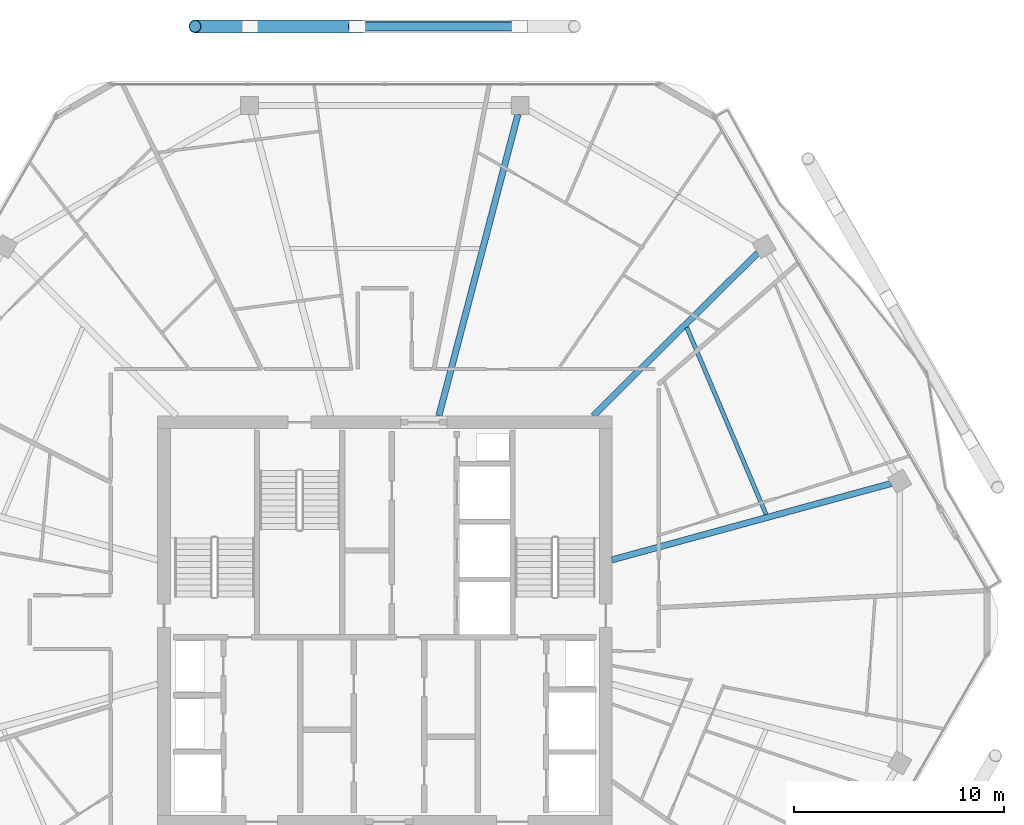
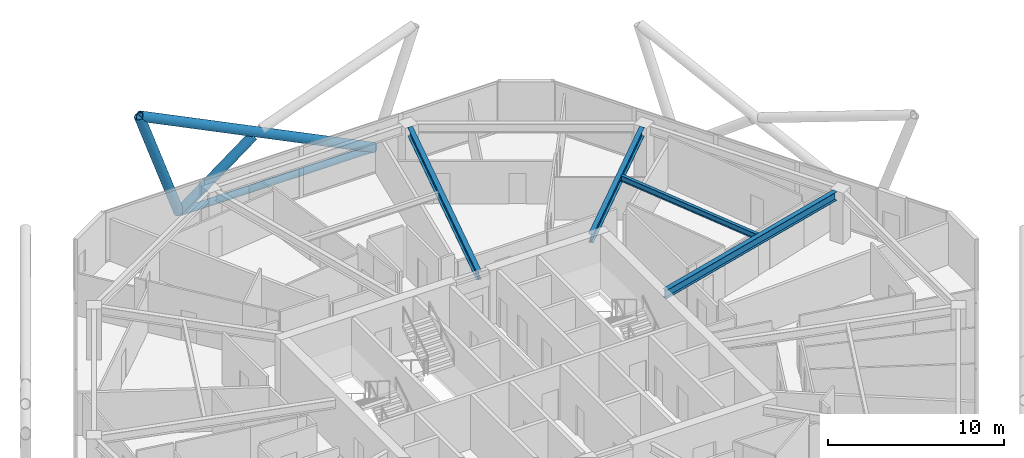
# One storey, part 16 of 28: 4 beams, 4 members.
"""IFC4 building model written with IfcOpenShell, lengths in metres."""

import ifcopenshell
import ifcopenshell.guid

model = None  # the IFC model being written
_history = None  # IfcOwnerHistory: only IFC2X3 demands one
_inside = {}  # id of a spatial element -> (the spatial element, [elements in it])
_under = {}  # id of a project, library or spatial element -> (it, [spatial elements below it])
_declared = {}  # id of a project -> (the project, [libraries it declares])
_typed = {}  # id of a type object -> (the type object, [elements of that type])
_made_of = {}  # id of a material, layer set ... -> (it, [elements and type objects made of it])


def new_model(schema):
    """Start an empty IFC model of exactly this schema.

    Asked for "IFC4X3", IfcOpenShell would pick the latest addendum, in which some entities
    have other attributes; the version numbers below select the first issue.
    IFC2X3 requires an IfcOwnerHistory on every rooted entity: one is made here for all.
    """
    global model, _history
    if schema == "IFC4X3":
        model = ifcopenshell.file(schema_version=(4, 3, 0, 0))
    else:
        model = ifcopenshell.file(schema=schema)
    _inside.clear()
    _under.clear()
    _declared.clear()
    _typed.clear()
    _made_of.clear()
    _history = None
    if model.schema == "IFC2X3":
        org = make("IfcOrganization", Name="unknown")
        user = make(
            "IfcPersonAndOrganization",
            ThePerson=make("IfcPerson", FamilyName="unknown"),
            TheOrganization=org,
        )
        app = make(
            "IfcApplication",
            ApplicationDeveloper=org,
            Version="unknown",
            ApplicationFullName="unknown",
            ApplicationIdentifier="unknown",
        )
        _history = make(
            "IfcOwnerHistory",
            OwningUser=user,
            OwningApplication=app,
            ChangeAction="ADDED",
            CreationDate=0,
        )
    return model


def make(cls, **values):
    """One entity of the class cls with the attributes given. An attribute that is None is left unset."""
    return model.create_entity(
        cls, **{name: value for name, value in values.items() if value is not None}
    )


def rooted(cls, **values):
    """An entity with a GlobalId (a new one), such as an element, a storey or a relation."""
    return make(cls, GlobalId=ifcopenshell.guid.new(), OwnerHistory=_history, **values)


def si_unit(unit_type, name, prefix=None):
    """IfcSIUnit, for example si_unit("LENGTHUNIT", "METRE", prefix="MILLI")."""
    return make("IfcSIUnit", UnitType=unit_type, Prefix=prefix, Name=name)


def assignment(units):
    """IfcUnitAssignment: the units of a project."""
    return None if units is None else make("IfcUnitAssignment", Units=units)


def point(xyz):
    """IfcCartesianPoint."""
    return None if xyz is None else make("IfcCartesianPoint", Coordinates=xyz)


def direction(xyz):
    """IfcDirection."""
    return None if xyz is None else make("IfcDirection", DirectionRatios=xyz)


def frame(location, z_axis=None, x_axis=None):
    """IfcAxis2Placement3D, a coordinate frame: its origin and axes. An axis left out is left unset."""
    return make(
        "IfcAxis2Placement3D",
        Location=point(location),
        Axis=direction(z_axis),
        RefDirection=direction(x_axis),
    )


def frame_2d(location, x_axis=None):
    """IfcAxis2Placement2D, a coordinate frame in the plane: its origin and x axis."""
    return make(
        "IfcAxis2Placement2D", Location=point(location), RefDirection=direction(x_axis)
    )


def origin():
    """The frame at (0, 0, 0) with its axes left unset."""
    return frame((0.0, 0.0, 0.0))


def origin_2d():
    """The frame at (0, 0) in the plane with its x axis left unset."""
    return frame_2d((0.0, 0.0))


def place(relative_to, where):
    """IfcLocalPlacement: puts the frame where relative to a parent placement (None: the world)."""
    return make(
        "IfcLocalPlacement", PlacementRelTo=relative_to, RelativePlacement=where
    )


def context(
    kind, dimensions, precision=None, world=None, true_north=None, identifier=None
):
    """IfcGeometricRepresentationContext, for example the 3D "Model" context."""
    return make(
        "IfcGeometricRepresentationContext",
        ContextIdentifier=identifier,
        ContextType=kind,
        CoordinateSpaceDimension=dimensions,
        Precision=precision,
        WorldCoordinateSystem=world,
        TrueNorth=true_north,
    )


def subcontext(parent, identifier, kind, view, scale=None):
    """IfcGeometricRepresentationSubContext, for example "Body" below "Model"."""
    return make(
        "IfcGeometricRepresentationSubContext",
        ContextIdentifier=identifier,
        ContextType=kind,
        ParentContext=parent,
        TargetScale=scale,
        TargetView=view,
    )


def project(units=None, contexts=None):
    """IfcProject with its units and contexts."""
    return rooted(
        "IfcProject",
        Name="project",
        RepresentationContexts=contexts,
        UnitsInContext=assignment(units),
    )


def spatial(cls, under=None, at=None, **own):
    """A site, building, storey or space (cls), placed at a placement, below another one or the project."""
    s = rooted(cls, ObjectPlacement=at, **own)
    if under is not None:
        _under.setdefault(under.id(), (under, []))[1].append(s)
    return s


def profile(cls, at=None, kind="AREA", **sizes):
    """A parametric profile (cls). Its sizes go by their IFC names, for example OverallWidth=200.0."""
    return make(cls, ProfileType=kind, Position=at, **sizes)


def hollow_circle(**sizes):
    """IfcCircleHollowProfileDef."""
    return profile("IfcCircleHollowProfileDef", **sizes)


def i_section(**sizes):
    """IfcIShapeProfileDef."""
    return profile("IfcIShapeProfileDef", **sizes)


def extrude(swept, where, along, depth):
    """IfcExtrudedAreaSolid: the profile swept, set in the frame where, extruded along a direction by depth."""
    return make(
        "IfcExtrudedAreaSolid",
        SweptArea=swept,
        Position=where,
        ExtrudedDirection=direction(along),
        Depth=depth,
    )


def shape(context_of_items, identifier, shape_type, items):
    """IfcShapeRepresentation: the items that make up one representation, for example the "Body"."""
    return make(
        "IfcShapeRepresentation",
        ContextOfItems=context_of_items,
        RepresentationIdentifier=identifier,
        RepresentationType=shape_type,
        Items=items,
    )


def material(Name=None, Category=None):
    """IfcMaterial."""
    return make("IfcMaterial", Name=Name, Category=Category)


def material_profile(
    of_material, cross_section, Name=None, Category=None, Priority=None
):
    """IfcMaterialProfile: a cross section and its material."""
    return make(
        "IfcMaterialProfile",
        Name=Name,
        Material=of_material,
        Profile=cross_section,
        Priority=Priority,
        Category=Category,
    )


def profile_set(profiles, Name=None, composite=None):
    """IfcMaterialProfileSet."""
    return make(
        "IfcMaterialProfileSet",
        Name=Name,
        MaterialProfiles=profiles,
        CompositeProfile=composite,
    )


def made_of(thing, what):
    """Note that an element or type object is made of a material, layer set ...; save() writes the relation."""
    if what is not None:
        _made_of.setdefault(what.id(), (what, []))[1].append(thing)
    return thing


def type_object(cls, material=None, **own):
    """A type object (cls), such as IfcWallType, which elements share."""
    return made_of(rooted(cls, **own), material)


def element(
    cls,
    number,
    at=None,
    inside=None,
    cuts=None,
    type_object=None,
    material=None,
    context=None,
    identifier="Body",
    shape_type=None,
    held_by="IfcProductDefinitionShape",
    body=None,
    shapes=None,
    **own,
):
    """One element of the class cls, such as IfcWall. Its Tag is "e" and its number.

    at: its placement. inside: the storey or other place that contains it. cuts: it is an
    opening in that element (IfcRelVoidsElement). A single representation is given by context,
    identifier, shape_type and body (its items); several are given by shapes. held_by: the class
    of the entity that holds the representations. save() writes the other relations.
    """
    e = rooted(cls, Tag="e%d" % number, ObjectPlacement=at, **own)
    if body is not None:
        shapes = [shape(context, identifier, shape_type, body)]
    if shapes is not None:
        e.Representation = make(held_by, Representations=shapes)
    if inside is not None:
        _inside.setdefault(inside.id(), (inside, []))[1].append(e)
    if cuts is not None:
        rooted(
            "IfcRelVoidsElement", RelatingBuildingElement=cuts, RelatedOpeningElement=e
        )
    if type_object is not None:
        _typed.setdefault(type_object.id(), (type_object, []))[1].append(e)
    return made_of(e, material)


def aggregate(whole, parts):
    """IfcRelAggregates: a whole, such as a stair, and the parts it consists of."""
    return rooted("IfcRelAggregates", RelatingObject=whole, RelatedObjects=parts)


def save(model, path):
    """Write the relations noted so far, then the file.

    IfcRelAggregates (storeys below a building ...), IfcRelContainedInSpatialStructure (elements
    in a storey), IfcRelDefinesByType, IfcRelAssociatesMaterial and IfcRelDeclares: one each for
    every whole, place, type object, material and project.
    """
    for whole, parts in _under.values():
        aggregate(whole, parts)
    for where, things in _inside.values():
        rooted(
            "IfcRelContainedInSpatialStructure",
            RelatedElements=things,
            RelatingStructure=where,
        )
    for kind, things in _typed.values():
        rooted("IfcRelDefinesByType", RelatedObjects=things, RelatingType=kind)
    for what, things in _made_of.values():
        rooted("IfcRelAssociatesMaterial", RelatedObjects=things, RelatingMaterial=what)
    for by, libraries in _declared.values():
        rooted("IfcRelDeclares", RelatingContext=by, RelatedDefinitions=libraries)
    model.write(path)


model = new_model("IFC4")

# Units and contexts
model_context = context("Model", 3, precision=1e-05, world=origin(), true_north=direction((0.0, 1.0)))
body_context = subcontext(model_context, "Body", "Model", "MODEL_VIEW")
ifc_project = project(units=[si_unit("LENGTHUNIT", "METRE"), si_unit("AREAUNIT", "SQUARE_METRE"), si_unit("VOLUMEUNIT", "CUBIC_METRE"), si_unit("PLANEANGLEUNIT", "RADIAN"), si_unit("MASSUNIT", "GRAM", prefix="KILO")], contexts=[model_context])

# Site, building, storey
site_placement = place(None, origin())
site = spatial("IfcSite", under=ifc_project, at=site_placement, CompositionType="ELEMENT")
building_placement = place(site_placement, origin())
building = spatial("IfcBuilding", under=site, at=building_placement, Name="Zuhravey Tower", CompositionType="ELEMENT")
storey_placement = place(building_placement, frame((0.0, 0.0, 284.39990234375)))
storey = spatial("IfcBuildingStorey", under=building, at=storey_placement, Name="L72", CompositionType="ELEMENT", Elevation=284.39990234375)

# Members
ifc_material = material(Name="Steel SM355", Category="steel")
ifc_material_profile_1 = material_profile(ifc_material, hollow_circle(Radius=0.228515625, WallThickness=0.02197265625, at=origin_2d()), Name="CHS-457.2x22")
ifc_profile_set_1 = profile_set([ifc_material_profile_1], Name="Steel SM355")
member_type_1 = type_object("IfcMemberType", Name="Exoskeleton Ring Tie CHS457x22", PredefinedType="CHORD", material=ifc_profile_set_1)
member_1_placement = place(storey_placement, frame((42.267578125, 60.323486328125, -0.4638671875), z_axis=(-1.0, 0.0, 0.0), x_axis=(0.0, -1.0, 0.0)))
element("IfcMember", 1, at=member_1_placement, inside=storey, type_object=member_type_1, Name="L72 Exoskeleton Face 2 Tie EXR1", PredefinedType="CHORD", context=body_context, shape_type="SweptSolid", body=[
    extrude(hollow_circle(Radius=0.228515625, WallThickness=0.02197265625, at=origin_2d()), origin(), (0.0, 0.0, 1.0), 12.53515625),
])
ifc_material_profile_2 = material_profile(ifc_material, hollow_circle(Radius=0.3046875, WallThickness=0.028076171875, at=origin_2d()), Name="CHS-609.6x28")
ifc_profile_set_2 = profile_set([ifc_material_profile_2], Name="Steel SM355")
member_type_2 = type_object("IfcMemberType", Name="Exoskeleton Zone 3 Diagrid CHS610x28", PredefinedType="BRACE", material=ifc_profile_set_2)
member_2_placement = place(storey_placement, frame((42.37109375, 60.323486328125, -0.44580078125), z_axis=(-0.897161810558, 0.0, 0.441702032683), x_axis=(0.0, -1.0, 0.0)))
element("IfcMember", 2, at=member_2_placement, inside=storey, type_object=member_type_2, Name="L72 Face 2 Diagrid Brace 2", PredefinedType="BRACE", context=body_context, shape_type="SweptSolid", body=[
    extrude(hollow_circle(Radius=0.3046875, WallThickness=0.028076171875, at=origin_2d()), origin(), (0.0, 0.0, 1.0), 17.12451171875),
])
member_3_placement = place(storey_placement, frame((29.586181640625, 60.323486328125, -0.44580078125), z_axis=(-0.326060268586, 0.0, 0.945348983841), x_axis=(0.0, -1.0, 0.0)))
element("IfcMember", 3, at=member_3_placement, inside=storey, type_object=member_type_2, Name="L72 Face 2 Diagrid Brace 4", PredefinedType="BRACE", context=body_context, shape_type="SweptSolid", body=[
    extrude(hollow_circle(Radius=0.3046875, WallThickness=0.028076171875, at=origin_2d()), origin(), (0.0, 0.0, 1.0), 8.001220703125),
])
member_4_placement = place(storey_placement, frame((29.625, 60.323486328125, -0.439453125), z_axis=(0.801733500904, 0.0, 0.597681682444), x_axis=(0.0, 1.0, 0.0)))
element("IfcMember", 4, at=member_4_placement, inside=storey, type_object=member_type_2, Name="L72 Face 2 Split Diagrid Brace 3A", PredefinedType="BRACE", context=body_context, shape_type="SweptSolid", body=[
    extrude(hollow_circle(Radius=0.3046875, WallThickness=0.028076171875, at=origin_2d()), origin(), (0.0, 0.0, 1.0), 6.021728515625),
])

# Beams
ifc_material_profile_3 = material_profile(ifc_material, i_section(OverallWidth=0.300048828125, OverallDepth=0.60009765625, WebThickness=0.011962890625, FlangeThickness=0.02001953125, at=origin_2d()), Name="H-600x300x12x20")
ifc_profile_set_3 = profile_set([ifc_material_profile_3], Name="Steel SM355")
beam_type_1 = type_object("IfcBeamType", Name="Radial Primary Girder H600x300", PredefinedType="BEAM", material=ifc_profile_set_3)
beam_1_placement = place(storey_placement, frame((46.802978515625, 34.95556640625, 3.25), z_axis=(0.964549305009, 0.263902705947, 0.0), x_axis=(-0.263902705947, 0.964549305009, 0.0)))
element("IfcBeam", 5, at=beam_1_placement, inside=storey, type_object=beam_type_1, Name="L72 RG3 BM-L72-RAD-01", PredefinedType="BEAM", context=body_context, shape_type="SweptSolid", body=[
    extrude(i_section(OverallWidth=0.300048828125, OverallDepth=0.60009765625, WebThickness=0.011962890625, FlangeThickness=0.02001953125, at=origin_2d()), origin(), (0.0, 0.0, 1.0), 13.756591796875),
])
beam_2_placement = place(storey_placement, frame((45.90673828125, 41.802978515625, 3.25), z_axis=(0.710808169267, 0.70338591577, 0.0), x_axis=(-0.70338591577, 0.710808169267, 0.0)))
element("IfcBeam", 6, at=beam_2_placement, inside=storey, type_object=beam_type_1, Name="L72 RG3 BM-L72-RAD-02", PredefinedType="BEAM", context=body_context, shape_type="SweptSolid", body=[
    extrude(i_section(OverallWidth=0.300048828125, OverallDepth=0.60009765625, WebThickness=0.011962890625, FlangeThickness=0.02001953125, at=origin_2d()), origin(), (0.0, 0.0, 1.0), 11.019287109375),
])
beam_3_placement = place(storey_placement, frame((38.571533203125, 41.802978515625, 3.25), z_axis=(0.25373188956, 0.967274587809, 0.0), x_axis=(-0.967274587809, 0.25373188956, 0.0)))
element("IfcBeam", 7, at=beam_3_placement, inside=storey, type_object=beam_type_1, Name="L72 RG3 BM-L72-RAD-03", PredefinedType="BEAM", context=body_context, shape_type="SweptSolid", body=[
    extrude(i_section(OverallWidth=0.300048828125, OverallDepth=0.60009765625, WebThickness=0.011962890625, FlangeThickness=0.02001953125, at=origin_2d()), origin(), (0.0, 0.0, 1.0), 14.82177734375),
])
ifc_material_profile_4 = material_profile(ifc_material, i_section(OverallWidth=0.199951171875, OverallDepth=0.39990234375, WebThickness=0.008056640625, FlangeThickness=0.012939453125, at=origin_2d()), Name="H-400x200x8x13")
ifc_profile_set_4 = profile_set([ifc_material_profile_4], Name="Steel SM355")
beam_type_2 = type_object("IfcBeamType", Name="Secondary Floor Joist H400x200", PredefinedType="JOIST", material=ifc_profile_set_4)
beam_4_placement = place(storey_placement, frame((54.130859375, 37.118896484375, 3.35009765625), z_axis=(-0.390413493754, 0.920639616731, 0.0), x_axis=(-0.920639616731, -0.390413493754, 0.0)))
element("IfcBeam", 8, at=beam_4_placement, inside=storey, type_object=beam_type_2, Name="L72 SJ2 BM-L72-SJ-01-1", PredefinedType="JOIST", context=body_context, shape_type="SweptSolid", body=[
    extrude(i_section(OverallWidth=0.199951171875, OverallDepth=0.39990234375, WebThickness=0.008056640625, FlangeThickness=0.012939453125, at=origin_2d()), origin(), (0.0, 0.0, 1.0), 9.656494140625),
])

save(model, "model.ifc")
